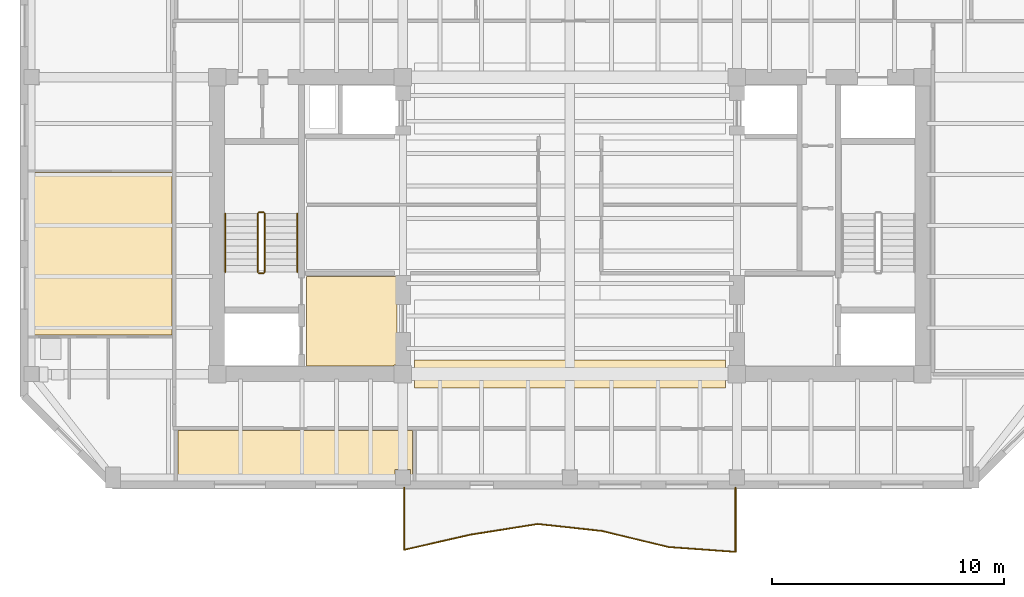
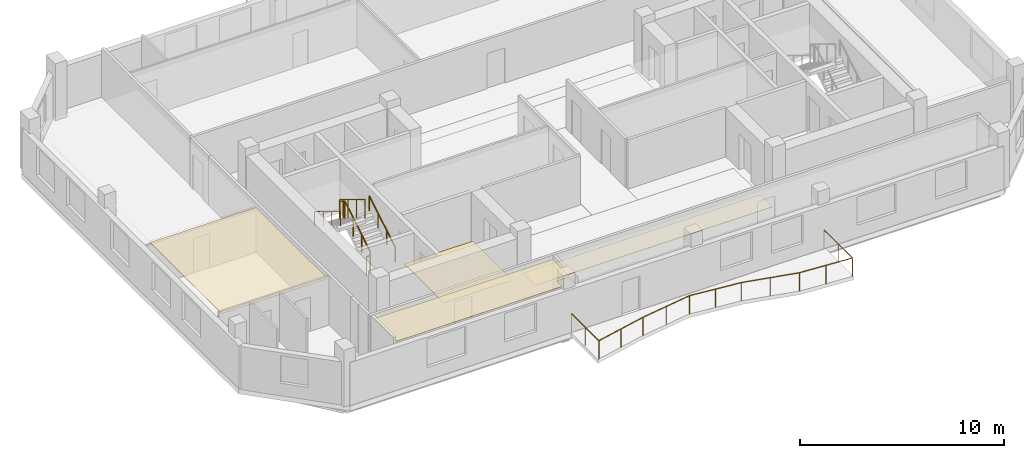
# One storey, part 7 of 10: 7 railings, 4 coverings.
"""IFC4 building model written with IfcOpenShell, lengths in metres."""

import ifcopenshell
import ifcopenshell.guid

model = None  # the IFC model being written
_history = None  # IfcOwnerHistory: only IFC2X3 demands one
_inside = {}  # id of a spatial element -> (the spatial element, [elements in it])
_under = {}  # id of a project, library or spatial element -> (it, [spatial elements below it])
_declared = {}  # id of a project -> (the project, [libraries it declares])
_typed = {}  # id of a type object -> (the type object, [elements of that type])
_made_of = {}  # id of a material, layer set ... -> (it, [elements and type objects made of it])


def new_model(schema):
    """Start an empty IFC model of exactly this schema.

    Asked for "IFC4X3", IfcOpenShell would pick the latest addendum, in which some entities
    have other attributes; the version numbers below select the first issue.
    IFC2X3 requires an IfcOwnerHistory on every rooted entity: one is made here for all.
    """
    global model, _history
    if schema == "IFC4X3":
        model = ifcopenshell.file(schema_version=(4, 3, 0, 0))
    else:
        model = ifcopenshell.file(schema=schema)
    _inside.clear()
    _under.clear()
    _declared.clear()
    _typed.clear()
    _made_of.clear()
    _history = None
    if model.schema == "IFC2X3":
        org = make("IfcOrganization", Name="unknown")
        user = make(
            "IfcPersonAndOrganization",
            ThePerson=make("IfcPerson", FamilyName="unknown"),
            TheOrganization=org,
        )
        app = make(
            "IfcApplication",
            ApplicationDeveloper=org,
            Version="unknown",
            ApplicationFullName="unknown",
            ApplicationIdentifier="unknown",
        )
        _history = make(
            "IfcOwnerHistory",
            OwningUser=user,
            OwningApplication=app,
            ChangeAction="ADDED",
            CreationDate=0,
        )
    return model


def make(cls, **values):
    """One entity of the class cls with the attributes given. An attribute that is None is left unset."""
    return model.create_entity(
        cls, **{name: value for name, value in values.items() if value is not None}
    )


def rooted(cls, **values):
    """An entity with a GlobalId (a new one), such as an element, a storey or a relation."""
    return make(cls, GlobalId=ifcopenshell.guid.new(), OwnerHistory=_history, **values)


def si_unit(unit_type, name, prefix=None):
    """IfcSIUnit, for example si_unit("LENGTHUNIT", "METRE", prefix="MILLI")."""
    return make("IfcSIUnit", UnitType=unit_type, Prefix=prefix, Name=name)


def assignment(units):
    """IfcUnitAssignment: the units of a project."""
    return None if units is None else make("IfcUnitAssignment", Units=units)


def point(xyz):
    """IfcCartesianPoint."""
    return None if xyz is None else make("IfcCartesianPoint", Coordinates=xyz)


def direction(xyz):
    """IfcDirection."""
    return None if xyz is None else make("IfcDirection", DirectionRatios=xyz)


def frame(location, z_axis=None, x_axis=None):
    """IfcAxis2Placement3D, a coordinate frame: its origin and axes. An axis left out is left unset."""
    return make(
        "IfcAxis2Placement3D",
        Location=point(location),
        Axis=direction(z_axis),
        RefDirection=direction(x_axis),
    )


def frame_2d(location, x_axis=None):
    """IfcAxis2Placement2D, a coordinate frame in the plane: its origin and x axis."""
    return make(
        "IfcAxis2Placement2D", Location=point(location), RefDirection=direction(x_axis)
    )


def origin():
    """The frame at (0, 0, 0) with its axes left unset."""
    return frame((0.0, 0.0, 0.0))


def origin_2d():
    """The frame at (0, 0) in the plane with its x axis left unset."""
    return frame_2d((0.0, 0.0))


def place(relative_to, where):
    """IfcLocalPlacement: puts the frame where relative to a parent placement (None: the world)."""
    return make(
        "IfcLocalPlacement", PlacementRelTo=relative_to, RelativePlacement=where
    )


def context(
    kind, dimensions, precision=None, world=None, true_north=None, identifier=None
):
    """IfcGeometricRepresentationContext, for example the 3D "Model" context."""
    return make(
        "IfcGeometricRepresentationContext",
        ContextIdentifier=identifier,
        ContextType=kind,
        CoordinateSpaceDimension=dimensions,
        Precision=precision,
        WorldCoordinateSystem=world,
        TrueNorth=true_north,
    )


def subcontext(parent, identifier, kind, view, scale=None):
    """IfcGeometricRepresentationSubContext, for example "Body" below "Model"."""
    return make(
        "IfcGeometricRepresentationSubContext",
        ContextIdentifier=identifier,
        ContextType=kind,
        ParentContext=parent,
        TargetScale=scale,
        TargetView=view,
    )


def project(units=None, contexts=None):
    """IfcProject with its units and contexts."""
    return rooted(
        "IfcProject",
        Name="project",
        RepresentationContexts=contexts,
        UnitsInContext=assignment(units),
    )


def spatial(cls, under=None, at=None, **own):
    """A site, building, storey or space (cls), placed at a placement, below another one or the project."""
    s = rooted(cls, ObjectPlacement=at, **own)
    if under is not None:
        _under.setdefault(under.id(), (under, []))[1].append(s)
    return s


def polyline(points):
    """IfcPolyline through the points."""
    return make("IfcPolyline", Points=[point(p) for p in points])


def profile(cls, at=None, kind="AREA", **sizes):
    """A parametric profile (cls). Its sizes go by their IFC names, for example OverallWidth=200.0."""
    return make(cls, ProfileType=kind, Position=at, **sizes)


def circle(**sizes):
    """IfcCircleProfileDef."""
    return profile("IfcCircleProfileDef", **sizes)


def outline(outer, holes=None, kind="AREA"):
    """IfcArbitraryClosedProfileDef: a profile drawn as a closed curve; with holes, ...WithVoids."""
    if holes is None:
        return make("IfcArbitraryClosedProfileDef", ProfileType=kind, OuterCurve=outer)
    return make(
        "IfcArbitraryProfileDefWithVoids",
        ProfileType=kind,
        OuterCurve=outer,
        InnerCurves=holes,
    )


def extrude(swept, where, along, depth):
    """IfcExtrudedAreaSolid: the profile swept, set in the frame where, extruded along a direction by depth."""
    return make(
        "IfcExtrudedAreaSolid",
        SweptArea=swept,
        Position=where,
        ExtrudedDirection=direction(along),
        Depth=depth,
    )


def shape(context_of_items, identifier, shape_type, items):
    """IfcShapeRepresentation: the items that make up one representation, for example the "Body"."""
    return make(
        "IfcShapeRepresentation",
        ContextOfItems=context_of_items,
        RepresentationIdentifier=identifier,
        RepresentationType=shape_type,
        Items=items,
    )


def material(Name=None, Category=None):
    """IfcMaterial."""
    return make("IfcMaterial", Name=Name, Category=Category)


def layer(
    of_material, thickness, ventilated=None, Name=None, Category=None, Priority=None
):
    """IfcMaterialLayer: one layer of a wall or slab, of a material (None: an air gap)."""
    return make(
        "IfcMaterialLayer",
        Material=of_material,
        LayerThickness=thickness,
        IsVentilated=ventilated,
        Name=Name,
        Category=Category,
        Priority=Priority,
    )


def layer_set(layers, Name=None):
    """IfcMaterialLayerSet."""
    return make("IfcMaterialLayerSet", MaterialLayers=layers, LayerSetName=Name)


def made_of(thing, what):
    """Note that an element or type object is made of a material, layer set ...; save() writes the relation."""
    if what is not None:
        _made_of.setdefault(what.id(), (what, []))[1].append(thing)
    return thing


def type_object(cls, material=None, **own):
    """A type object (cls), such as IfcWallType, which elements share."""
    return made_of(rooted(cls, **own), material)


def element(
    cls,
    number,
    at=None,
    inside=None,
    cuts=None,
    type_object=None,
    material=None,
    context=None,
    identifier="Body",
    shape_type=None,
    held_by="IfcProductDefinitionShape",
    body=None,
    shapes=None,
    **own,
):
    """One element of the class cls, such as IfcWall. Its Tag is "e" and its number.

    at: its placement. inside: the storey or other place that contains it. cuts: it is an
    opening in that element (IfcRelVoidsElement). A single representation is given by context,
    identifier, shape_type and body (its items); several are given by shapes. held_by: the class
    of the entity that holds the representations. save() writes the other relations.
    """
    e = rooted(cls, Tag="e%d" % number, ObjectPlacement=at, **own)
    if body is not None:
        shapes = [shape(context, identifier, shape_type, body)]
    if shapes is not None:
        e.Representation = make(held_by, Representations=shapes)
    if inside is not None:
        _inside.setdefault(inside.id(), (inside, []))[1].append(e)
    if cuts is not None:
        rooted(
            "IfcRelVoidsElement", RelatingBuildingElement=cuts, RelatedOpeningElement=e
        )
    if type_object is not None:
        _typed.setdefault(type_object.id(), (type_object, []))[1].append(e)
    return made_of(e, material)


def aggregate(whole, parts):
    """IfcRelAggregates: a whole, such as a stair, and the parts it consists of."""
    return rooted("IfcRelAggregates", RelatingObject=whole, RelatedObjects=parts)


def save(model, path):
    """Write the relations noted so far, then the file.

    IfcRelAggregates (storeys below a building ...), IfcRelContainedInSpatialStructure (elements
    in a storey), IfcRelDefinesByType, IfcRelAssociatesMaterial and IfcRelDeclares: one each for
    every whole, place, type object, material and project.
    """
    for whole, parts in _under.values():
        aggregate(whole, parts)
    for where, things in _inside.values():
        rooted(
            "IfcRelContainedInSpatialStructure",
            RelatedElements=things,
            RelatingStructure=where,
        )
    for kind, things in _typed.values():
        rooted("IfcRelDefinesByType", RelatedObjects=things, RelatingType=kind)
    for what, things in _made_of.values():
        rooted("IfcRelAssociatesMaterial", RelatedObjects=things, RelatingMaterial=what)
    for by, libraries in _declared.values():
        rooted("IfcRelDeclares", RelatingContext=by, RelatedDefinitions=libraries)
    model.write(path)


model = new_model("IFC4")

# Units and contexts
model_context = context("Model", 3, precision=1e-05, world=origin(), true_north=direction((0.0, 1.0)))
body_context = subcontext(model_context, "Body", "Model", "MODEL_VIEW")
ifc_project = project(units=[si_unit("LENGTHUNIT", "METRE"), si_unit("AREAUNIT", "SQUARE_METRE"), si_unit("VOLUMEUNIT", "CUBIC_METRE"), si_unit("PLANEANGLEUNIT", "RADIAN"), si_unit("MASSUNIT", "GRAM", prefix="KILO")], contexts=[model_context])

# Site, building, storey
site_placement = place(None, origin())
site = spatial("IfcSite", under=ifc_project, at=site_placement, CompositionType="ELEMENT")
building_placement = place(site_placement, origin())
building = spatial("IfcBuilding", under=site, at=building_placement, Name="Kranthara Brick Stack", CompositionType="ELEMENT")
storey_placement = place(building_placement, frame((0.0, 0.0, 278.89990234375)))
storey = spatial("IfcBuildingStorey", under=building, at=storey_placement, Name="L74", CompositionType="ELEMENT", Elevation=278.89990234375)

# Coverings
ifc_material_1 = material(Name="Perforated mineral-fibre acoustic ceiling tile", Category="other")
ifc_layer_1 = layer(ifc_material_1, 0.02490234375)
ifc_layer_set_1 = layer_set([ifc_layer_1], Name="Perforated mineral-fibre acoustic ceiling tile")
covering_type_1 = type_object("IfcCoveringType", Name="COV-CEIL-ACOUSTIC", PredefinedType="CEILING", material=ifc_layer_set_1)
covering_1_placement = place(storey_placement, frame((0.0, 0.0, 2.68017578125)))
element("IfcCovering", 1, at=covering_1_placement, inside=storey, type_object=covering_type_1, Name="L74 L74 Sky Club Observation Lounge 1 Acoustic Ceiling", PredefinedType="CEILING", context=body_context, shape_type="SweptSolid", body=[
    extrude(outline(polyline([(11.10009765625, 16.14990234375), (11.10009765625, 18.3798828125), (21.22412109375, 18.3798828125), (21.22412109375, 16.14990234375), (21.135009765625, 16.14990234375), (21.135009765625, 16.68505859375), (20.465087890625, 16.68505859375), (20.465087890625, 16.14990234375), (11.10009765625, 16.14990234375)])), origin(), (0.0, 0.0, 1.0), 0.02490234375),
])
covering_2_placement = place(storey_placement, frame((0.0, 0.0, 2.68017578125)))
element("IfcCovering", 2, at=covering_2_placement, inside=storey, type_object=covering_type_1, Name="L74 Unit L74B Private Study Room Acoustic Ceiling", PredefinedType="CEILING", context=body_context, shape_type="SweptSolid", body=[
    extrude(outline(polyline([(10.860107421875, 22.47998046875), (10.860107421875, 29.506103515625), (4.8701171875, 29.506103515625), (4.8701171875, 22.47998046875), (10.860107421875, 22.47998046875)])), origin(), (0.0, 0.0, 1.0), 0.02490234375),
])
ifc_material_2 = material(Name="Honed terrazzo and porcelain floor finish", Category="stone")
ifc_layer_2 = layer(ifc_material_2, 0.030029296875)
ifc_layer_set_2 = layer_set([ifc_layer_2], Name="Honed terrazzo and porcelain floor finish")
covering_type_2 = type_object("IfcCoveringType", Name="COV-FLOR-STONE", PredefinedType="FLOORING", material=ifc_layer_set_2)
covering_3_placement = place(storey_placement, origin())
element("IfcCovering", 3, at=covering_3_placement, inside=storey, type_object=covering_type_2, Name="L74 Lift Lobby Stone Flooring", PredefinedType="FLOORING", context=body_context, shape_type="SweptSolid", body=[
    extrude(outline(polyline([(16.64990234375, 21.14990234375), (16.64990234375, 25.0), (20.550048828125, 25.0), (20.550048828125, 21.18505859375), (20.4150390625, 21.18505859375), (20.4150390625, 21.14990234375), (16.64990234375, 21.14990234375)])), origin(), (0.0, 0.0, 1.0), 0.030029296875),
])
covering_4_placement = place(storey_placement, origin())
element("IfcCovering", 4, at=covering_4_placement, inside=storey, type_object=covering_type_2, Name="L74 Lift Lobby Stone Flooring", PredefinedType="FLOORING", context=body_context, shape_type="SweptSolid", body=[
    extrude(outline(polyline([(34.699951171875, 20.199951171875), (21.300048828125, 20.199951171875), (21.300048828125, 21.39990234375), (34.699951171875, 21.39990234375), (34.699951171875, 20.199951171875)])), origin(), (0.0, 0.0, 1.0), 0.030029296875),
])

# Railings
ifc_material_3 = material(Name="Bronze anodised aluminium and laminated glass balustrade", Category="aluminium")
railing_type_1 = type_object("IfcRailingType", Name="RL-BALC-1120", PredefinedType="BALUSTRADE", material=ifc_material_3)
railing_1_placement = place(storey_placement, frame((35.139892578125, 15.909912109375, 0.0)))
element("IfcRailing", 5, at=railing_1_placement, inside=storey, type_object=railing_type_1, Name="L74 South Rippling Balcony Balustrade", PredefinedType="BALUSTRADE", context=body_context, shape_type="SweptSolid", body=[
    extrude(circle(Radius=0.02392578125, at=origin_2d()), frame((0.0, 0.0, 1.09619140625), z_axis=(0.000264084498, -0.99999996513, 0.0), x_axis=(0.99999996513, 0.000264084498, 0.0)), (0.0, 0.0, 1.0), 2.7734375),
    extrude(circle(Radius=0.02392578125, at=origin_2d()), frame((0.000732421875, -2.7734375, 1.09619140625), z_axis=(-0.997388681887, 0.072220615087, 0.0), x_axis=(-0.072220615087, -0.997388681887, 0.0)), (0.0, 0.0, 1.0), 2.886962890625),
    extrude(circle(Radius=0.02392578125, at=origin_2d()), frame((-2.878662109375, -2.56494140625, 1.09619140625), z_axis=(-0.972200023586, 0.234151903986, 0.0), x_axis=(-0.234151903986, -0.972200023586, 0.0)), (0.0, 0.0, 1.0), 2.963134765625),
    extrude(circle(Radius=0.02392578125, at=origin_2d()), frame((-5.759521484375, -1.87109375, 1.09619140625), z_axis=(-0.994155134622, 0.107960957315, 0.0), x_axis=(-0.107960957315, -0.994155134622, 0.0)), (0.0, 0.0, 1.0), 2.77685546875),
    extrude(circle(Radius=0.02392578125, at=origin_2d()), frame((-8.520263671875, -1.5712890625, 1.09619140625), z_axis=(-0.987705190378, -0.156328042594, 0.0), x_axis=(0.156328042594, -0.987705190378, 0.0)), (0.0, 0.0, 1.0), 2.915771484375),
    extrude(circle(Radius=0.02392578125, at=origin_2d()), frame((-11.400146484375, -2.027099609375, 1.09619140625), z_axis=(-0.975085745305, -0.221828287879, 0.0), x_axis=(0.221828287879, -0.975085745305, 0.0)), (0.0, 0.0, 1.0), 2.953857421875),
    extrude(circle(Radius=0.02392578125, at=origin_2d()), frame((-14.280517578125, -2.682373046875, 1.09619140625), z_axis=(0.000273049958, 0.999999962722, 0.0), x_axis=(-0.999999962722, 0.000273049958, 0.0)), (0.0, 0.0, 1.0), 2.682373046875),
    extrude(circle(Radius=0.02099609375, at=origin_2d()), origin(), (0.0, 0.0, 1.0), 1.072021484375),
    extrude(circle(Radius=0.02099609375, at=origin_2d()), frame((0.00048828125, -1.38671875, 0.0)), (0.0, 0.0, 1.0), 1.072021484375),
    extrude(circle(Radius=0.02099609375, at=origin_2d()), frame((0.000732421875, -2.7734375, 0.0)), (0.0, 0.0, 1.0), 1.072021484375),
    extrude(circle(Radius=0.02099609375, at=origin_2d()), frame((-1.43896484375, -2.669189453125, 0.0)), (0.0, 0.0, 1.0), 1.072021484375),
    extrude(circle(Radius=0.02099609375, at=origin_2d()), frame((-2.878662109375, -2.56494140625, 0.0)), (0.0, 0.0, 1.0), 1.072021484375),
    extrude(circle(Radius=0.02099609375, at=origin_2d()), frame((-4.319091796875, -2.218017578125, 0.0)), (0.0, 0.0, 1.0), 1.072021484375),
    extrude(circle(Radius=0.02099609375, at=origin_2d()), frame((-5.759521484375, -1.87109375, 0.0)), (0.0, 0.0, 1.0), 1.072021484375),
    extrude(circle(Radius=0.02099609375, at=origin_2d()), frame((-7.139892578125, -1.72119140625, 0.0)), (0.0, 0.0, 1.0), 1.072021484375),
    extrude(circle(Radius=0.02099609375, at=origin_2d()), frame((-8.520263671875, -1.5712890625, 0.0)), (0.0, 0.0, 1.0), 1.072021484375),
    extrude(circle(Radius=0.02099609375, at=origin_2d()), frame((-9.960205078125, -1.79931640625, 0.0)), (0.0, 0.0, 1.0), 1.072021484375),
    extrude(circle(Radius=0.02099609375, at=origin_2d()), frame((-11.400146484375, -2.027099609375, 0.0)), (0.0, 0.0, 1.0), 1.072021484375),
    extrude(circle(Radius=0.02099609375, at=origin_2d()), frame((-12.84033203125, -2.354736328125, 0.0)), (0.0, 0.0, 1.0), 1.072021484375),
    extrude(circle(Radius=0.02099609375, at=origin_2d()), frame((-14.280517578125, -2.682373046875, 0.0)), (0.0, 0.0, 1.0), 1.072021484375),
    extrude(circle(Radius=0.02099609375, at=origin_2d()), frame((-14.2802734375, -1.34130859375, 0.0)), (0.0, 0.0, 1.0), 1.072021484375),
    extrude(circle(Radius=0.02099609375, at=origin_2d()), frame((-14.27978515625, 0.0, 0.0)), (0.0, 0.0, 1.0), 1.072021484375),
])
ifc_material_4 = material(Name="Painted galvanized steel stair guardrail", Category="steel")
railing_type_2 = type_object("IfcRailingType", Name="RL-STAIR-GUARD-1100", PredefinedType="GUARDRAIL", material=ifc_material_4)
railing_2_placement = place(storey_placement, frame((14.85009765625, 25.199951171875, 0.170166015625)))
element("IfcRailing", 6, at=railing_2_placement, inside=storey, type_object=railing_type_2, Name="L74 ST01 stair guard 1", PredefinedType="GUARDRAIL", context=body_context, shape_type="SweptSolid", body=[
    extrude(circle(Radius=0.02392578125, at=origin_2d()), frame((0.0, 0.0, 1.076171875), z_axis=(0.0, 0.85478489116, 0.518982456201), x_axis=(-1.0, 0.0, 0.0)), (0.0, 0.0, 1.0), 2.9482421875),
    extrude(circle(Radius=0.02099609375, at=origin_2d()), origin(), (0.0, 0.0, 1.0), 1.052001953125),
    extrude(circle(Radius=0.02099609375, at=origin_2d()), frame((0.0, 0.840087890625, 0.510009765625)), (0.0, 0.0, 1.0), 1.052001953125),
    extrude(circle(Radius=0.02099609375, at=origin_2d()), frame((0.0, 1.679931640625, 1.02001953125)), (0.0, 0.0, 1.0), 1.052001953125),
    extrude(circle(Radius=0.02099609375, at=origin_2d()), frame((0.0, 2.52001953125, 1.530029296875)), (0.0, 0.0, 1.0), 1.052001953125),
])
railing_3_placement = place(storey_placement, frame((14.800048828125, 27.77001953125, 1.7001953125)))
element("IfcRailing", 7, at=railing_3_placement, inside=storey, type_object=railing_type_2, Name="L74 ST01 stair guard 2", PredefinedType="GUARDRAIL", context=body_context, shape_type="SweptSolid", body=[
    extrude(circle(Radius=0.02392578125, at=origin_2d()), frame((0.0, 0.0, 1.076171875), z_axis=(-1.0, 0.0, 0.0), x_axis=(0.0, -1.0, 0.0)), (0.0, 0.0, 1.0), 0.199951171875),
    extrude(circle(Radius=0.02099609375, at=origin_2d()), origin(), (0.0, 0.0, 1.0), 1.052001953125),
    extrude(circle(Radius=0.02099609375, at=origin_2d()), frame((-0.199951171875, 0.0, 0.0)), (0.0, 0.0, 1.0), 1.052001953125),
])
railing_4_placement = place(storey_placement, frame((14.550048828125, 27.719970703125, 1.8701171875)))
element("IfcRailing", 8, at=railing_4_placement, inside=storey, type_object=railing_type_2, Name="L74 ST01 stair guard 3", PredefinedType="GUARDRAIL", context=body_context, shape_type="SweptSolid", body=[
    extrude(circle(Radius=0.02392578125, at=origin_2d()), frame((0.0, 0.0, 1.076171875), z_axis=(0.0, -0.85478489116, 0.518982456201), x_axis=(1.0, 0.0, 0.0)), (0.0, 0.0, 1.0), 2.9482421875),
    extrude(circle(Radius=0.02099609375, at=origin_2d()), origin(), (0.0, 0.0, 1.0), 1.052001953125),
    extrude(circle(Radius=0.02099609375, at=origin_2d()), frame((0.0, -0.840087890625, 0.510009765625)), (0.0, 0.0, 1.0), 1.052001953125),
    extrude(circle(Radius=0.02099609375, at=origin_2d()), frame((0.0, -1.679931640625, 1.02001953125)), (0.0, 0.0, 1.0), 1.052001953125),
    extrude(circle(Radius=0.02099609375, at=origin_2d()), frame((0.0, -2.52001953125, 1.530029296875)), (0.0, 0.0, 1.0), 1.052001953125),
])
railing_5_placement = place(storey_placement, frame((14.800048828125, 25.14990234375, 0.0)))
element("IfcRailing", 9, at=railing_5_placement, inside=storey, type_object=railing_type_2, Name="L74 ST01 stair guard 4", PredefinedType="GUARDRAIL", context=body_context, shape_type="SweptSolid", body=[
    extrude(circle(Radius=0.02392578125, at=origin_2d()), frame((0.0, 0.0, 1.076171875), z_axis=(-1.0, 0.0, 0.0), x_axis=(0.0, -1.0, 0.0)), (0.0, 0.0, 1.0), 0.199951171875),
    extrude(circle(Radius=0.02099609375, at=origin_2d()), origin(), (0.0, 0.0, 1.0), 1.052001953125),
    extrude(circle(Radius=0.02099609375, at=origin_2d()), frame((-0.199951171875, 0.0, 0.0)), (0.0, 0.0, 1.0), 1.052001953125),
])
ifc_material_5 = material(Name="Brushed stainless steel tubular handrail", Category="steel")
railing_type_3 = type_object("IfcRailingType", Name="RL-STAIR-HAND-900", PredefinedType="HANDRAIL", material=ifc_material_5)
railing_6_placement = place(storey_placement, frame((16.25, 25.199951171875, 0.170166015625)))
element("IfcRailing", 10, at=railing_6_placement, inside=storey, type_object=railing_type_3, Name="L74 ST01 stair handrail 1", PredefinedType="HANDRAIL", context=body_context, shape_type="SweptSolid", body=[
    extrude(circle(Radius=0.02392578125, at=origin_2d()), frame((0.0, 0.0, 0.8759765625), z_axis=(0.0, 0.85478489116, 0.518982456201), x_axis=(-1.0, 0.0, 0.0)), (0.0, 0.0, 1.0), 2.9482421875),
    extrude(circle(Radius=0.02099609375, at=origin_2d()), origin(), (0.0, 0.0, 1.0), 0.851806640625),
    extrude(circle(Radius=0.02099609375, at=origin_2d()), frame((0.0, 0.840087890625, 0.510009765625)), (0.0, 0.0, 1.0), 0.851806640625),
    extrude(circle(Radius=0.02099609375, at=origin_2d()), frame((0.0, 1.679931640625, 1.02001953125)), (0.0, 0.0, 1.0), 0.851806640625),
    extrude(circle(Radius=0.02099609375, at=origin_2d()), frame((0.0, 2.52001953125, 1.530029296875)), (0.0, 0.0, 1.0), 0.851806640625),
])
railing_7_placement = place(storey_placement, frame((13.14990234375, 27.719970703125, 1.8701171875)))
element("IfcRailing", 11, at=railing_7_placement, inside=storey, type_object=railing_type_3, Name="L74 ST01 stair handrail 2", PredefinedType="HANDRAIL", context=body_context, shape_type="SweptSolid", body=[
    extrude(circle(Radius=0.02392578125, at=origin_2d()), frame((0.0, 0.0, 0.8759765625), z_axis=(0.0, -0.85478489116, 0.518982456201), x_axis=(1.0, 0.0, 0.0)), (0.0, 0.0, 1.0), 2.9482421875),
    extrude(circle(Radius=0.02099609375, at=origin_2d()), origin(), (0.0, 0.0, 1.0), 0.851806640625),
    extrude(circle(Radius=0.02099609375, at=origin_2d()), frame((0.0, -0.840087890625, 0.510009765625)), (0.0, 0.0, 1.0), 0.851806640625),
    extrude(circle(Radius=0.02099609375, at=origin_2d()), frame((0.0, -1.679931640625, 1.02001953125)), (0.0, 0.0, 1.0), 0.851806640625),
    extrude(circle(Radius=0.02099609375, at=origin_2d()), frame((0.0, -2.52001953125, 1.530029296875)), (0.0, 0.0, 1.0), 0.851806640625),
])

save(model, "model.ifc")
